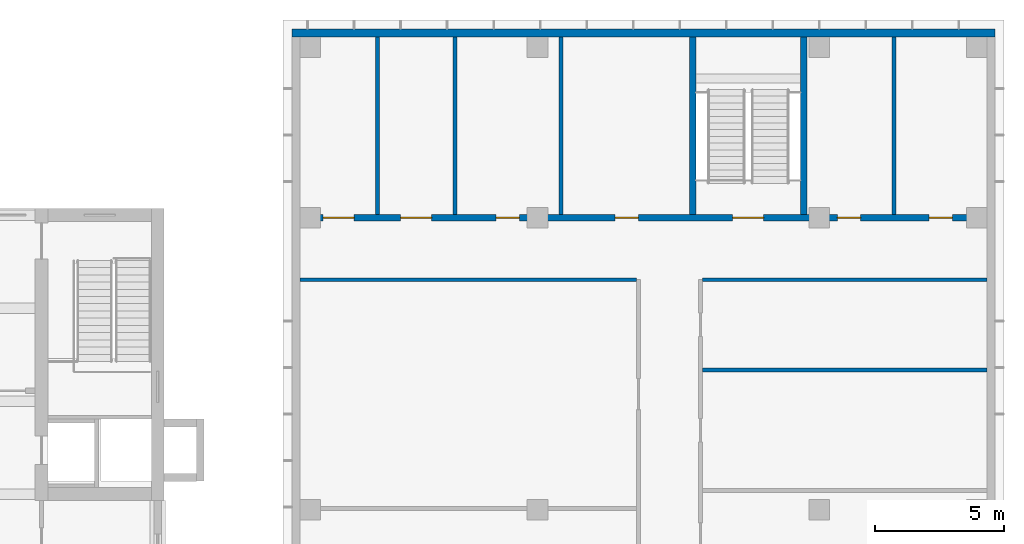
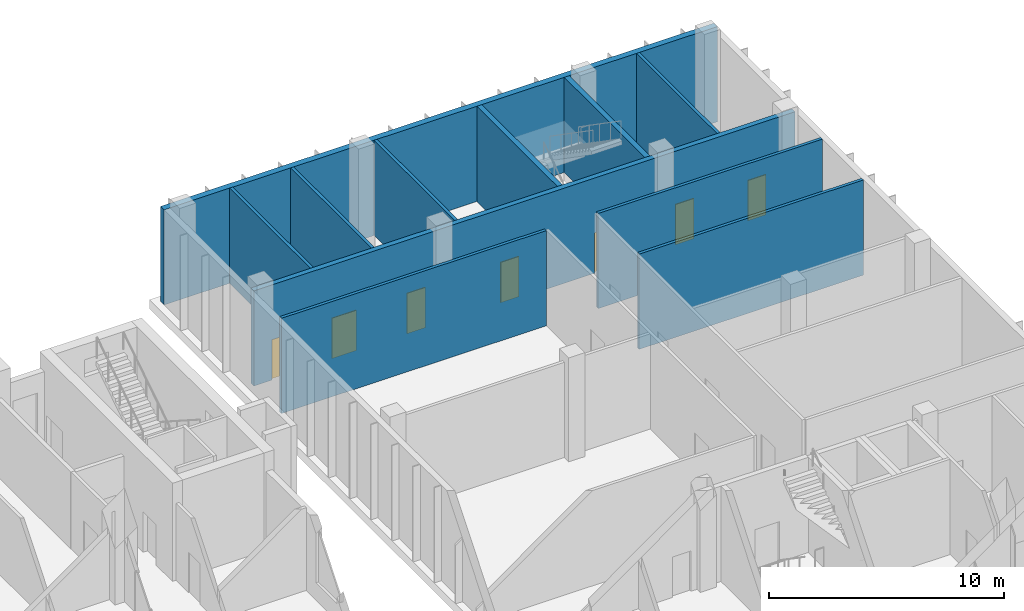
# One storey, part 26 of 32: 11 walls, 7 doors, 7 openings.
"""IFC4 building model written with IfcOpenShell, lengths in metres."""

import ifcopenshell
import ifcopenshell.guid

model = None  # the IFC model being written
_history = None  # IfcOwnerHistory: only IFC2X3 demands one
_inside = {}  # id of a spatial element -> (the spatial element, [elements in it])
_under = {}  # id of a project, library or spatial element -> (it, [spatial elements below it])
_declared = {}  # id of a project -> (the project, [libraries it declares])
_typed = {}  # id of a type object -> (the type object, [elements of that type])
_made_of = {}  # id of a material, layer set ... -> (it, [elements and type objects made of it])


def new_model(schema):
    """Start an empty IFC model of exactly this schema.

    Asked for "IFC4X3", IfcOpenShell would pick the latest addendum, in which some entities
    have other attributes; the version numbers below select the first issue.
    IFC2X3 requires an IfcOwnerHistory on every rooted entity: one is made here for all.
    """
    global model, _history
    if schema == "IFC4X3":
        model = ifcopenshell.file(schema_version=(4, 3, 0, 0))
    else:
        model = ifcopenshell.file(schema=schema)
    _inside.clear()
    _under.clear()
    _declared.clear()
    _typed.clear()
    _made_of.clear()
    _history = None
    if model.schema == "IFC2X3":
        org = make("IfcOrganization", Name="unknown")
        user = make(
            "IfcPersonAndOrganization",
            ThePerson=make("IfcPerson", FamilyName="unknown"),
            TheOrganization=org,
        )
        app = make(
            "IfcApplication",
            ApplicationDeveloper=org,
            Version="unknown",
            ApplicationFullName="unknown",
            ApplicationIdentifier="unknown",
        )
        _history = make(
            "IfcOwnerHistory",
            OwningUser=user,
            OwningApplication=app,
            ChangeAction="ADDED",
            CreationDate=0,
        )
    return model


def make(cls, **values):
    """One entity of the class cls with the attributes given. An attribute that is None is left unset."""
    return model.create_entity(
        cls, **{name: value for name, value in values.items() if value is not None}
    )


def rooted(cls, **values):
    """An entity with a GlobalId (a new one), such as an element, a storey or a relation."""
    return make(cls, GlobalId=ifcopenshell.guid.new(), OwnerHistory=_history, **values)


def si_unit(unit_type, name, prefix=None):
    """IfcSIUnit, for example si_unit("LENGTHUNIT", "METRE", prefix="MILLI")."""
    return make("IfcSIUnit", UnitType=unit_type, Prefix=prefix, Name=name)


def assignment(units):
    """IfcUnitAssignment: the units of a project."""
    return None if units is None else make("IfcUnitAssignment", Units=units)


def point(xyz):
    """IfcCartesianPoint."""
    return None if xyz is None else make("IfcCartesianPoint", Coordinates=xyz)


def direction(xyz):
    """IfcDirection."""
    return None if xyz is None else make("IfcDirection", DirectionRatios=xyz)


def frame(location, z_axis=None, x_axis=None):
    """IfcAxis2Placement3D, a coordinate frame: its origin and axes. An axis left out is left unset."""
    return make(
        "IfcAxis2Placement3D",
        Location=point(location),
        Axis=direction(z_axis),
        RefDirection=direction(x_axis),
    )


def frame_2d(location, x_axis=None):
    """IfcAxis2Placement2D, a coordinate frame in the plane: its origin and x axis."""
    return make(
        "IfcAxis2Placement2D", Location=point(location), RefDirection=direction(x_axis)
    )


def origin():
    """The frame at (0, 0, 0) with its axes left unset."""
    return frame((0.0, 0.0, 0.0))


def place(relative_to, where):
    """IfcLocalPlacement: puts the frame where relative to a parent placement (None: the world)."""
    return make(
        "IfcLocalPlacement", PlacementRelTo=relative_to, RelativePlacement=where
    )


def context(
    kind, dimensions, precision=None, world=None, true_north=None, identifier=None
):
    """IfcGeometricRepresentationContext, for example the 3D "Model" context."""
    return make(
        "IfcGeometricRepresentationContext",
        ContextIdentifier=identifier,
        ContextType=kind,
        CoordinateSpaceDimension=dimensions,
        Precision=precision,
        WorldCoordinateSystem=world,
        TrueNorth=true_north,
    )


def subcontext(parent, identifier, kind, view, scale=None):
    """IfcGeometricRepresentationSubContext, for example "Body" below "Model"."""
    return make(
        "IfcGeometricRepresentationSubContext",
        ContextIdentifier=identifier,
        ContextType=kind,
        ParentContext=parent,
        TargetScale=scale,
        TargetView=view,
    )


def project(units=None, contexts=None):
    """IfcProject with its units and contexts."""
    return rooted(
        "IfcProject",
        Name="project",
        RepresentationContexts=contexts,
        UnitsInContext=assignment(units),
    )


def spatial(cls, under=None, at=None, **own):
    """A site, building, storey or space (cls), placed at a placement, below another one or the project."""
    s = rooted(cls, ObjectPlacement=at, **own)
    if under is not None:
        _under.setdefault(under.id(), (under, []))[1].append(s)
    return s


def profile(cls, at=None, kind="AREA", **sizes):
    """A parametric profile (cls). Its sizes go by their IFC names, for example OverallWidth=200.0."""
    return make(cls, ProfileType=kind, Position=at, **sizes)


def rectangle(**sizes):
    """IfcRectangleProfileDef."""
    return profile("IfcRectangleProfileDef", **sizes)


def extrude(swept, where, along, depth):
    """IfcExtrudedAreaSolid: the profile swept, set in the frame where, extruded along a direction by depth."""
    return make(
        "IfcExtrudedAreaSolid",
        SweptArea=swept,
        Position=where,
        ExtrudedDirection=direction(along),
        Depth=depth,
    )


def shape(context_of_items, identifier, shape_type, items):
    """IfcShapeRepresentation: the items that make up one representation, for example the "Body"."""
    return make(
        "IfcShapeRepresentation",
        ContextOfItems=context_of_items,
        RepresentationIdentifier=identifier,
        RepresentationType=shape_type,
        Items=items,
    )


def material(Name=None, Category=None):
    """IfcMaterial."""
    return make("IfcMaterial", Name=Name, Category=Category)


def layer(
    of_material, thickness, ventilated=None, Name=None, Category=None, Priority=None
):
    """IfcMaterialLayer: one layer of a wall or slab, of a material (None: an air gap)."""
    return make(
        "IfcMaterialLayer",
        Material=of_material,
        LayerThickness=thickness,
        IsVentilated=ventilated,
        Name=Name,
        Category=Category,
        Priority=Priority,
    )


def layer_set(layers, Name=None):
    """IfcMaterialLayerSet."""
    return make("IfcMaterialLayerSet", MaterialLayers=layers, LayerSetName=Name)


def made_of(thing, what):
    """Note that an element or type object is made of a material, layer set ...; save() writes the relation."""
    if what is not None:
        _made_of.setdefault(what.id(), (what, []))[1].append(thing)
    return thing


def type_object(cls, material=None, **own):
    """A type object (cls), such as IfcWallType, which elements share."""
    return made_of(rooted(cls, **own), material)


def element(
    cls,
    number,
    at=None,
    inside=None,
    cuts=None,
    type_object=None,
    material=None,
    context=None,
    identifier="Body",
    shape_type=None,
    held_by="IfcProductDefinitionShape",
    body=None,
    shapes=None,
    **own,
):
    """One element of the class cls, such as IfcWall. Its Tag is "e" and its number.

    at: its placement. inside: the storey or other place that contains it. cuts: it is an
    opening in that element (IfcRelVoidsElement). A single representation is given by context,
    identifier, shape_type and body (its items); several are given by shapes. held_by: the class
    of the entity that holds the representations. save() writes the other relations.
    """
    e = rooted(cls, Tag="e%d" % number, ObjectPlacement=at, **own)
    if body is not None:
        shapes = [shape(context, identifier, shape_type, body)]
    if shapes is not None:
        e.Representation = make(held_by, Representations=shapes)
    if inside is not None:
        _inside.setdefault(inside.id(), (inside, []))[1].append(e)
    if cuts is not None:
        rooted(
            "IfcRelVoidsElement", RelatingBuildingElement=cuts, RelatedOpeningElement=e
        )
    if type_object is not None:
        _typed.setdefault(type_object.id(), (type_object, []))[1].append(e)
    return made_of(e, material)


def fill(opening, filler):
    """IfcRelFillsElement: the door or window that sits in an opening."""
    return rooted(
        "IfcRelFillsElement",
        RelatingOpeningElement=opening,
        RelatedBuildingElement=filler,
    )


def aggregate(whole, parts):
    """IfcRelAggregates: a whole, such as a stair, and the parts it consists of."""
    return rooted("IfcRelAggregates", RelatingObject=whole, RelatedObjects=parts)


def save(model, path):
    """Write the relations noted so far, then the file.

    IfcRelAggregates (storeys below a building ...), IfcRelContainedInSpatialStructure (elements
    in a storey), IfcRelDefinesByType, IfcRelAssociatesMaterial and IfcRelDeclares: one each for
    every whole, place, type object, material and project.
    """
    for whole, parts in _under.values():
        aggregate(whole, parts)
    for where, things in _inside.values():
        rooted(
            "IfcRelContainedInSpatialStructure",
            RelatedElements=things,
            RelatingStructure=where,
        )
    for kind, things in _typed.values():
        rooted("IfcRelDefinesByType", RelatedObjects=things, RelatingType=kind)
    for what, things in _made_of.values():
        rooted("IfcRelAssociatesMaterial", RelatedObjects=things, RelatingMaterial=what)
    for by, libraries in _declared.values():
        rooted("IfcRelDeclares", RelatingContext=by, RelatedDefinitions=libraries)
    model.write(path)


model = new_model("IFC4")

# Units and contexts
model_context = context("Model", 3, precision=1e-05, world=origin(), true_north=direction((0.0, 1.0)))
body_context = subcontext(model_context, "Body", "Model", "MODEL_VIEW")
ifc_project = project(units=[si_unit("LENGTHUNIT", "METRE"), si_unit("AREAUNIT", "SQUARE_METRE"), si_unit("VOLUMEUNIT", "CUBIC_METRE"), si_unit("PLANEANGLEUNIT", "RADIAN"), si_unit("MASSUNIT", "GRAM", prefix="KILO")], contexts=[model_context])

# Site, building, storey
site_placement = place(None, origin())
site = spatial("IfcSite", under=ifc_project, at=site_placement, CompositionType="ELEMENT")
building_placement = place(site_placement, origin())
building = spatial("IfcBuilding", under=site, at=building_placement, Name="Basin Gate Institute", CompositionType="ELEMENT")
storey_placement = place(building_placement, frame((0.0, 0.0, 11.39990234375)))
storey = spatial("IfcBuildingStorey", under=building, at=storey_placement, Name="L02", CompositionType="ELEMENT", Elevation=11.39990234375)

# Wall, openings, doors
ifc_material_1 = material(Name="Concrete 40 MPa", Category="concrete")
ifc_layer_1 = layer(ifc_material_1, 0.25)
ifc_layer_set_1 = layer_set([ifc_layer_1], Name="Concrete 40 MPa")
wall_type_1 = type_object("IfcWallType", Name="Block enclosure wall W73 REI 120", PredefinedType="SOLIDWALL", material=ifc_layer_set_1)
wall_1_placement = place(storey_placement, frame((124.300048828125, 99.800048828125, 0.0), z_axis=(0.0, 0.0, 1.0), x_axis=(1.0, 0.0, 0.0)))
wall_1 = element("IfcWall", 1, at=wall_1_placement, inside=storey, type_object=wall_type_1, material=ifc_layer_set_1, Name="Stair and lift enclosure wall Cx9980-11 L02", PredefinedType="SOLIDWALL", context=body_context, shape_type="SweptSolid", body=[
    extrude(rectangle(XDim=26.599853515625, YDim=0.25, at=frame_2d((13.2998046875, 0.0))), origin(), (0.0, 0.0, 1.0), 4.9501953125),
])
opening_1_placement = place(wall_1_placement, frame((0.89990234375, 0.0, 0.0)))
opening_1 = element("IfcOpeningElement", 2, at=opening_1_placement, cuts=wall_1, Name="Opening D1048", PredefinedType="OPENING", context=body_context, shape_type="SweptSolid", body=[
    extrude(rectangle(XDim=1.199951171875, YDim=2.10009765625, at=frame_2d((0.60009765625, 1.050048828125))), frame((0.0, 0.135009765625, 0.0), z_axis=(0.0, -1.0, 0.0), x_axis=(1.0, 0.0, 0.0)), (0.0, 0.0, 1.0), 0.27001953125),
])
opening_2_placement = place(wall_1_placement, frame((3.89990234375, 0.0, 0.0)))
opening_2 = element("IfcOpeningElement", 3, at=opening_2_placement, cuts=wall_1, Name="Opening D1049", PredefinedType="OPENING", context=body_context, shape_type="SweptSolid", body=[
    extrude(rectangle(XDim=1.199951171875, YDim=2.10009765625, at=frame_2d((0.60009765625, 1.050048828125))), frame((0.0, 0.135009765625, 0.0), z_axis=(0.0, -1.0, 0.0), x_axis=(1.0, 0.0, 0.0)), (0.0, 0.0, 1.0), 0.27001953125),
])
opening_3_placement = place(wall_1_placement, frame((7.60009765625, 0.0, 0.0)))
opening_3 = element("IfcOpeningElement", 4, at=opening_3_placement, cuts=wall_1, Name="Opening D1050", PredefinedType="OPENING", context=body_context, shape_type="SweptSolid", body=[
    extrude(rectangle(XDim=0.89990234375, YDim=2.10009765625, at=frame_2d((0.449951171875, 1.050048828125))), frame((0.0, 0.135009765625, 0.0), z_axis=(0.0, -1.0, 0.0), x_axis=(1.0, 0.0, 0.0)), (0.0, 0.0, 1.0), 0.27001953125),
])
opening_4_placement = place(wall_1_placement, frame((20.800048828125, 0.0, 0.0)))
opening_4 = element("IfcOpeningElement", 5, at=opening_4_placement, cuts=wall_1, Name="Opening D1051", PredefinedType="OPENING", context=body_context, shape_type="SweptSolid", body=[
    extrude(rectangle(XDim=0.89990234375, YDim=2.10009765625, at=frame_2d((0.449951171875, 1.050048828125))), frame((0.0, 0.135009765625, 0.0), z_axis=(0.0, -1.0, 0.0), x_axis=(1.0, 0.0, 0.0)), (0.0, 0.0, 1.0), 0.27001953125),
])
opening_5_placement = place(wall_1_placement, frame((24.35009765625, 0.0, 0.0)))
opening_5 = element("IfcOpeningElement", 6, at=opening_5_placement, cuts=wall_1, Name="Opening D1052", PredefinedType="OPENING", context=body_context, shape_type="SweptSolid", body=[
    extrude(rectangle(XDim=0.89990234375, YDim=2.10009765625, at=frame_2d((0.449951171875, 1.050048828125))), frame((0.0, 0.135009765625, 0.0), z_axis=(0.0, -1.0, 0.0), x_axis=(1.0, 0.0, 0.0)), (0.0, 0.0, 1.0), 0.27001953125),
])
opening_6_placement = place(wall_1_placement, frame((12.199951171875, 0.0, 0.0)))
opening_6 = element("IfcOpeningElement", 7, at=opening_6_placement, cuts=wall_1, Name="Opening D1054", PredefinedType="OPENING", context=body_context, shape_type="SweptSolid", body=[
    extrude(rectangle(XDim=0.89990234375, YDim=2.10009765625, at=frame_2d((0.449951171875, 1.050048828125))), frame((0.0, 0.135009765625, 0.0), z_axis=(0.0, -1.0, 0.0), x_axis=(1.0, 0.0, 0.0)), (0.0, 0.0, 1.0), 0.27001953125),
])
opening_7_placement = place(wall_1_placement, frame((16.75, 0.0, 0.0)))
opening_7 = element("IfcOpeningElement", 8, at=opening_7_placement, cuts=wall_1, Name="Opening D1056", PredefinedType="OPENING", context=body_context, shape_type="SweptSolid", body=[
    extrude(rectangle(XDim=1.199951171875, YDim=2.10009765625, at=frame_2d((0.60009765625, 1.050048828125))), frame((0.0, 0.135009765625, 0.0), z_axis=(0.0, -1.0, 0.0), x_axis=(1.0, 0.0, 0.0)), (0.0, 0.0, 1.0), 0.27001953125),
])
ifc_material_2 = material(Name="Timber door leaf in steel frame", Category="steel")
door_type_1 = type_object("IfcDoorType", Name="Block door 1200 single swing", OperationType="NOTDEFINED", PredefinedType="DOOR", material=ifc_material_2)
door_1_placement = place(opening_1_placement, origin())
door_1 = element("IfcDoor", 9, at=door_1_placement, inside=storey, type_object=door_type_1, material=ifc_material_2, Name="Gowning Airlock door L02", OperationType="SINGLE_SWING_LEFT", OverallHeight=2.10009765625, OverallWidth=1.199951171875, PredefinedType="DOOR", context=body_context, shape_type="SweptSolid", body=[
    extrude(rectangle(XDim=1.199951171875, YDim=2.10009765625, at=frame_2d((0.60009765625, 1.050048828125))), frame((0.0, 0.02490234375, 0.0), z_axis=(0.0, -1.0, 0.0), x_axis=(1.0, 0.0, 0.0)), (0.0, 0.0, 1.0), 0.050048828125),
])
fill(opening_1, door_1)
door_2_placement = place(opening_2_placement, origin())
door_2 = element("IfcDoor", 10, at=door_2_placement, inside=storey, type_object=door_type_1, material=ifc_material_2, Name="Material Airlock door L02", OperationType="SINGLE_SWING_LEFT", OverallHeight=2.10009765625, OverallWidth=1.199951171875, PredefinedType="DOOR", context=body_context, shape_type="SweptSolid", body=[
    extrude(rectangle(XDim=1.199951171875, YDim=2.10009765625, at=frame_2d((0.60009765625, 1.050048828125))), frame((0.0, 0.02490234375, 0.0), z_axis=(0.0, -1.0, 0.0), x_axis=(1.0, 0.0, 0.0)), (0.0, 0.0, 1.0), 0.050048828125),
])
fill(opening_2, door_2)
ifc_material_3 = material(Name="Timber door leaf in steel frame", Category="steel")
door_type_2 = type_object("IfcDoorType", Name="Block door 900 single swing", OperationType="NOTDEFINED", PredefinedType="DOOR", material=ifc_material_3)
door_3_placement = place(opening_3_placement, origin())
door_3 = element("IfcDoor", 11, at=door_3_placement, inside=storey, type_object=door_type_2, material=ifc_material_3, Name="Cleaning Store door L02", OperationType="SINGLE_SWING_RIGHT", OverallHeight=2.10009765625, OverallWidth=0.89990234375, PredefinedType="DOOR", context=body_context, shape_type="SweptSolid", body=[
    extrude(rectangle(XDim=0.89990234375, YDim=2.10009765625, at=frame_2d((0.449951171875, 1.050048828125))), frame((0.0, 0.02490234375, 0.0), z_axis=(0.0, -1.0, 0.0), x_axis=(1.0, 0.0, 0.0)), (0.0, 0.0, 1.0), 0.050048828125),
])
fill(opening_3, door_3)
door_4_placement = place(opening_4_placement, origin())
door_4 = element("IfcDoor", 12, at=door_4_placement, inside=storey, type_object=door_type_2, material=ifc_material_3, Name="Accessible WC door L02", OperationType="SINGLE_SWING_LEFT", OverallHeight=2.10009765625, OverallWidth=0.89990234375, PredefinedType="DOOR", context=body_context, shape_type="SweptSolid", body=[
    extrude(rectangle(XDim=0.89990234375, YDim=2.10009765625, at=frame_2d((0.449951171875, 1.050048828125))), frame((0.0, 0.02490234375, 0.0), z_axis=(0.0, -1.0, 0.0), x_axis=(1.0, 0.0, 0.0)), (0.0, 0.0, 1.0), 0.050048828125),
])
fill(opening_4, door_4)
door_5_placement = place(opening_5_placement, origin())
door_5 = element("IfcDoor", 13, at=door_5_placement, inside=storey, type_object=door_type_2, material=ifc_material_3, Name="Male WC door L02", OperationType="SINGLE_SWING_RIGHT", OverallHeight=2.10009765625, OverallWidth=0.89990234375, PredefinedType="DOOR", context=body_context, shape_type="SweptSolid", body=[
    extrude(rectangle(XDim=0.89990234375, YDim=2.10009765625, at=frame_2d((0.449951171875, 1.050048828125))), frame((0.0, 0.02490234375, 0.0), z_axis=(0.0, -1.0, 0.0), x_axis=(1.0, 0.0, 0.0)), (0.0, 0.0, 1.0), 0.050048828125),
])
fill(opening_5, door_5)
door_6_placement = place(opening_6_placement, origin())
door_6 = element("IfcDoor", 14, at=door_6_placement, inside=storey, type_object=door_type_2, material=ifc_material_3, Name="Utility Room door L02", OperationType="SINGLE_SWING_RIGHT", OverallHeight=2.10009765625, OverallWidth=0.89990234375, PredefinedType="DOOR", context=body_context, shape_type="SweptSolid", body=[
    extrude(rectangle(XDim=0.89990234375, YDim=2.10009765625, at=frame_2d((0.449951171875, 1.050048828125))), frame((0.0, 0.02490234375, 0.0), z_axis=(0.0, -1.0, 0.0), x_axis=(1.0, 0.0, 0.0)), (0.0, 0.0, 1.0), 0.050048828125),
])
fill(opening_6, door_6)
ifc_material_4 = material(Name="Steel fire door leaf", Category="steel")
door_type_3 = type_object("IfcDoorType", Name="FD60 door 1200 single swing", OperationType="NOTDEFINED", PredefinedType="DOOR", material=ifc_material_4)
door_7_placement = place(opening_7_placement, origin())
door_7 = element("IfcDoor", 15, at=door_7_placement, inside=storey, type_object=door_type_3, material=ifc_material_4, Name="Stair door ST-C7 L02", OperationType="SINGLE_SWING_RIGHT", OverallHeight=2.10009765625, OverallWidth=1.199951171875, PredefinedType="DOOR", context=body_context, shape_type="SweptSolid", body=[
    extrude(rectangle(XDim=1.199951171875, YDim=2.10009765625, at=frame_2d((0.60009765625, 1.050048828125))), frame((0.0, 0.02490234375, 0.0), z_axis=(0.0, -1.0, 0.0), x_axis=(1.0, 0.0, 0.0)), (0.0, 0.0, 1.0), 0.050048828125),
])
fill(opening_7, door_7)

# Walls
for number, where, z_axis, x_axis, name in (
    (16, (139.5, 99.925048828125, 0.0), (0.0, 0.0, 1.0), (0.0, 1.0, 0.0), "Stair and lift enclosure wall Cy13950-19 L02"),
    (17, (143.800048828125, 99.925048828125, 0.0), (0.0, 0.0, 1.0), (0.0, 1.0, 0.0), "Stair and lift enclosure wall Cy14380-22 L02"),
):
    element("IfcWall", number, at=place(storey_placement, frame(where, z_axis=z_axis, x_axis=x_axis)), inside=storey, type_object=wall_type_1, material=ifc_layer_set_1, Name=name, PredefinedType="SOLIDWALL", context=body_context, shape_type="SweptSolid", body=[
        extrude(rectangle(XDim=6.875, YDim=0.25, at=frame_2d((3.4375, 0.0))), origin(), (0.0, 0.0, 1.0), 4.9501953125),
    ])
ifc_material_5 = material(Name="Insulated sandwich panel, mineral wool core, galvanised sheet faces")
ifc_layer_2 = layer(ifc_material_5, 0.300048828125)
ifc_layer_set_2 = layer_set([ifc_layer_2], Name="Clean block insulated panel wall W80 EI 60")
wall_type_2 = type_object("IfcWallType", Name="Clean block insulated panel wall W80 EI 60", PredefinedType="SOLIDWALL", material=ifc_layer_set_2)
wall_2_placement = place(storey_placement, frame((124.0, 106.949951171875, 0.0), z_axis=(0.0, 0.0, 1.0), x_axis=(1.0, 0.0, 0.0)))
element("IfcWall", 18, at=wall_2_placement, inside=storey, type_object=wall_type_2, material=ifc_layer_set_2, Name="Clean block insulated panel wall north L02", PredefinedType="SOLIDWALL", context=body_context, shape_type="SweptSolid", body=[
    extrude(rectangle(XDim=27.199951171875, YDim=0.300048828125, at=frame_2d((13.60009765625, 0.0))), origin(), (0.0, 0.0, 1.0), 4.9501953125),
])
ifc_material_6 = material(Name="Gypsum board partition on steel studs, 60 minute", Category="steel")
ifc_layer_3 = layer(ifc_material_6, 0.14990234375)
ifc_layer_set_3 = layer_set([ifc_layer_3], Name="Gypsum board partition on steel studs, 60 minute")
wall_type_3 = type_object("IfcWallType", Name="Clean block partition PW72 EI 60", PredefinedType="SOLIDWALL", material=ifc_layer_set_3)
wall_3_placement = place(storey_placement, frame((139.875, 93.906982421875, 0.0), z_axis=(0.0, 0.0, 1.0), x_axis=(1.0, 0.0, 0.0)))
element("IfcWall", 19, at=wall_3_placement, inside=storey, type_object=wall_type_3, material=ifc_layer_set_3, Name="Clean block partition Cx9391-8 L02", PredefinedType="SOLIDWALL", context=body_context, shape_type="SweptSolid", body=[
    extrude(rectangle(XDim=11.02490234375, YDim=0.14990234375, at=frame_2d((5.512451171875, 0.0))), origin(), (0.0, 0.0, 1.0), 4.9501953125),
])
wall_4_placement = place(storey_placement, frame((124.300048828125, 97.39990234375, 0.0), z_axis=(0.0, 0.0, 1.0), x_axis=(1.0, 0.0, 0.0)))
element("IfcWall", 20, at=wall_4_placement, inside=storey, type_object=wall_type_3, material=ifc_layer_set_3, Name="Clean block partition Cx9740-9 L02", PredefinedType="SOLIDWALL", context=body_context, shape_type="SweptSolid", body=[
    extrude(rectangle(XDim=13.02490234375, YDim=0.14990234375, at=frame_2d((6.512451171875, 0.0))), origin(), (0.0, 0.0, 1.0), 4.9501953125),
])
wall_5_placement = place(storey_placement, frame((139.875, 97.39990234375, 0.0), z_axis=(0.0, 0.0, 1.0), x_axis=(1.0, 0.0, 0.0)))
element("IfcWall", 21, at=wall_5_placement, inside=storey, type_object=wall_type_3, material=ifc_layer_set_3, Name="Clean block partition Cx9740-10 L02", PredefinedType="SOLIDWALL", context=body_context, shape_type="SweptSolid", body=[
    extrude(rectangle(XDim=11.02490234375, YDim=0.14990234375, at=frame_2d((5.512451171875, 0.0))), origin(), (0.0, 0.0, 1.0), 4.9501953125),
])
for number, where, z_axis, x_axis, name in (
    (22, (127.300048828125, 99.925048828125, 0.0), (0.0, 0.0, 1.0), (0.0, 1.0, 0.0), "Clean block partition Cy12730-12 L02"),
    (23, (130.300048828125, 99.925048828125, 0.0), (0.0, 0.0, 1.0), (0.0, 1.0, 0.0), "Clean block partition Cy13030-14 L02"),
    (24, (134.39990234375, 99.925048828125, 0.0), (0.0, 0.0, 1.0), (0.0, 1.0, 0.0), "Clean block partition Cy13440-16 L02"),
    (25, (147.300048828125, 99.925048828125, 0.0), (0.0, 0.0, 1.0), (0.0, 1.0, 0.0), "Clean block partition Cy14730-23 L02"),
):
    element("IfcWall", number, at=place(storey_placement, frame(where, z_axis=z_axis, x_axis=x_axis)), inside=storey, type_object=wall_type_3, material=ifc_layer_set_3, Name=name, PredefinedType="SOLIDWALL", context=body_context, shape_type="SweptSolid", body=[
        extrude(rectangle(XDim=6.875, YDim=0.14990234375, at=frame_2d((3.4375, 0.0))), origin(), (0.0, 0.0, 1.0), 4.9501953125),
    ])

save(model, "model.ifc")
